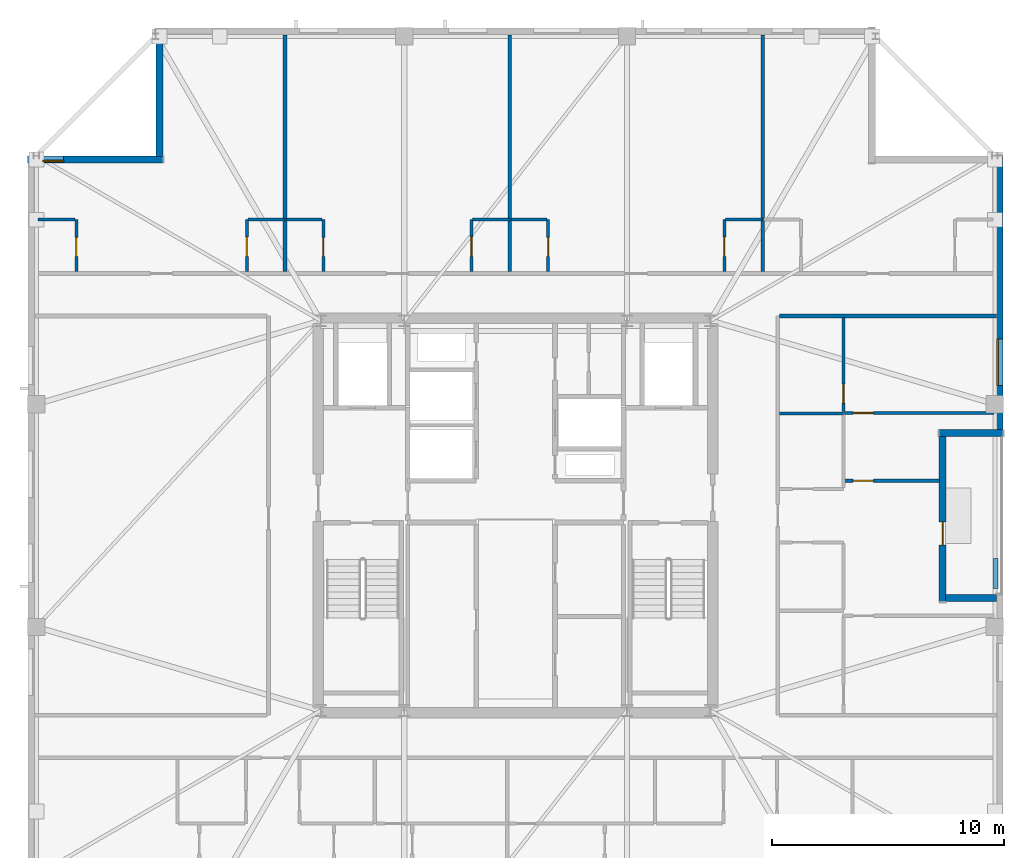
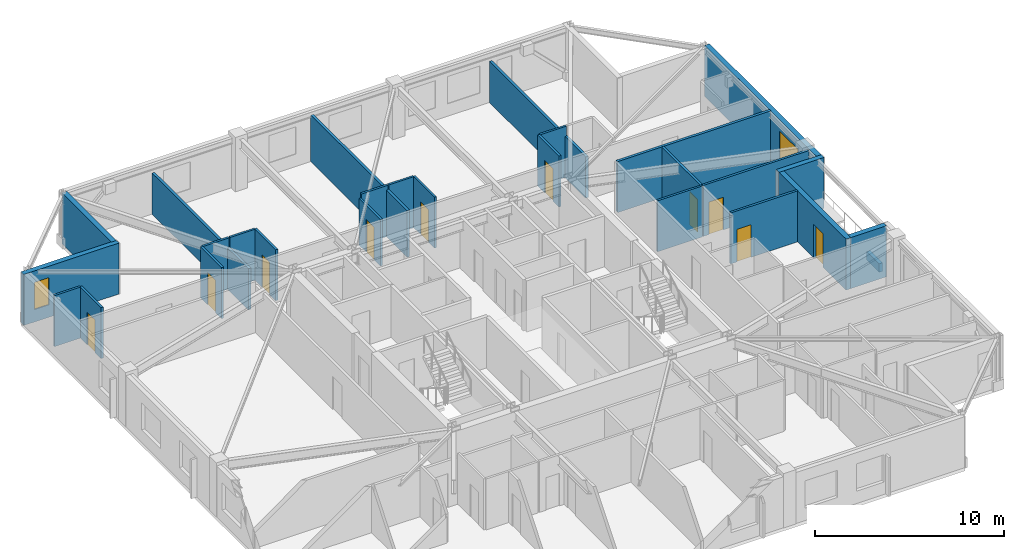
# One storey, part 10 of 15: 27 walls, 10 doors, 2 windows, 12 openings.
"""IFC4 building model written with IfcOpenShell, lengths in metres."""

from ifc_helpers import new_model, si_unit, direction, frame, frame_2d, origin, place, context, subcontext, project, spatial, rectangle, extrude, material, layer, layer_set, type_object, element, fill, save


model = new_model("IFC4")

# Units and contexts
model_context = context("Model", 3, precision=1e-05, world=origin(), true_north=direction((0.0, 1.0)))
body_context = subcontext(model_context, "Body", "Model", "MODEL_VIEW")
ifc_project = project(units=[si_unit("LENGTHUNIT", "METRE"), si_unit("AREAUNIT", "SQUARE_METRE"), si_unit("VOLUMEUNIT", "CUBIC_METRE"), si_unit("PLANEANGLEUNIT", "RADIAN"), si_unit("MASSUNIT", "GRAM", prefix="KILO")], contexts=[model_context])

# Site, building, storey
site_placement = place(None, origin())
site = spatial("IfcSite", under=ifc_project, at=site_placement, CompositionType="ELEMENT")
building_placement = place(site_placement, origin())
building = spatial("IfcBuilding", under=site, at=building_placement, Name="Cairnveth Concourse Tower", CompositionType="ELEMENT")
storey_placement = place(building_placement, frame((0.0, 0.0, 305.0)))
storey = spatial("IfcBuildingStorey", under=building, at=storey_placement, Name="L84", CompositionType="ELEMENT", Elevation=305.0)

# Walls
ifc_material_1 = material(Name="Gypsum Plasterboard Partition", Category="gypsum")
ifc_layer_1 = layer(ifc_material_1, 0.159912109375)
ifc_layer_set_1 = layer_set([ifc_layer_1], Name="Gypsum Plasterboard Partition")
wall_type_1 = type_object("IfcWallType", Name="ACOUSTIC PARTY WALL 180", PredefinedType="PARTITIONING", material=ifc_layer_set_1)
wall_1_placement = place(storey_placement, frame((63.364990234375, 47.60009765625, 0.0), z_axis=(0.0, 0.0, 1.0), x_axis=(1.0, 0.0, 0.0)))
element("IfcWall", 1, at=wall_1_placement, inside=storey, type_object=wall_type_1, Name="Interior Wall IW-L84-042", PredefinedType="PARTITIONING", context=body_context, shape_type="SweptSolid", body=[
    extrude(rectangle(XDim=9.35009765625, YDim=0.159912109375, at=frame_2d((4.675048828125, 0.0))), origin(), (0.0, 0.0, 1.0), 3.2900390625),
])
wall_2_placement = place(storey_placement, frame((42.0673828125, 49.514892578125, 0.0), z_axis=(0.0, 0.0, 1.0), x_axis=(0.0, 1.0, 0.0)))
element("IfcWall", 2, at=wall_2_placement, inside=storey, type_object=wall_type_1, Name="Interior Wall IW-L84-069", PredefinedType="PARTITIONING", context=body_context, shape_type="SweptSolid", body=[
    extrude(rectangle(XDim=10.18505859375, YDim=0.159912109375, at=frame_2d((5.092529296875, 0.0))), origin(), (0.0, 0.0, 1.0), 2.653076171875),
])
wall_3_placement = place(storey_placement, frame((51.75244140625, 49.514892578125, 0.0), z_axis=(0.0, 0.0, 1.0), x_axis=(0.0, 1.0, 0.0)))
element("IfcWall", 3, at=wall_3_placement, inside=storey, type_object=wall_type_1, Name="Interior Wall IW-L84-074", PredefinedType="PARTITIONING", context=body_context, shape_type="SweptSolid", body=[
    extrude(rectangle(XDim=10.18505859375, YDim=0.159912109375, at=frame_2d((5.092529296875, 0.0))), origin(), (0.0, 0.0, 1.0), 3.009033203125),
])
wall_4_placement = place(storey_placement, frame((62.6474609375, 49.514892578125, 0.0), z_axis=(0.0, 0.0, 1.0), x_axis=(0.0, 1.0, 0.0)))
element("IfcWall", 4, at=wall_4_placement, inside=storey, type_object=wall_type_1, Name="Interior Wall IW-L84-079", PredefinedType="PARTITIONING", context=body_context, shape_type="SweptSolid", body=[
    extrude(rectangle(XDim=10.18505859375, YDim=0.159912109375, at=frame_2d((5.092529296875, 0.0))), origin(), (0.0, 0.0, 1.0), 2.653076171875),
])

# Wall, opening, door
ifc_layer_2 = layer(ifc_material_1, 0.139892578125)
ifc_layer_set_2 = layer_set([ifc_layer_2], Name="Gypsum Plasterboard Partition")
wall_type_2 = type_object("IfcWallType", Name="GYPSUM STUD PARTITION 140", PredefinedType="PARTITIONING", material=ifc_layer_set_2)
wall_5_placement = place(storey_placement, frame((66.179931640625, 43.419921875, 0.0), z_axis=(0.0, 0.0, 1.0), x_axis=(1.0, 0.0, 0.0)))
wall_5 = element("IfcWall", 5, at=wall_5_placement, inside=storey, type_object=wall_type_2, Name="Interior Wall IW-L84-092", PredefinedType="PARTITIONING", context=body_context, shape_type="SweptSolid", body=[
    extrude(rectangle(XDim=6.440185546875, YDim=0.139892578125, at=frame_2d((3.22021484375, 0.0))), origin(), (0.0, 0.0, 1.0), 3.2900390625),
])
opening_1_placement = place(wall_5_placement, frame((0.360107421875, 0.0, 0.0)))
opening_1 = element("IfcOpeningElement", 6, at=opening_1_placement, cuts=wall_5, Name="Opening ID18", PredefinedType="OPENING", context=body_context, shape_type="SweptSolid", body=[
    extrude(rectangle(XDim=0.8798828125, YDim=2.10009765625, at=frame_2d((0.43994140625, 1.050048828125))), frame((0.0, 0.079833984375, 0.0), z_axis=(0.0, -1.0, 0.0), x_axis=(1.0, 0.0, 0.0)), (0.0, 0.0, 1.0), 0.159912109375),
])
ifc_material_2 = material(Name="Solid Core Hardwood Timber Leaf", Category="wood")
door_type_1 = type_object("IfcDoorType", Name="INTERIOR SINGLE DOOR 880X2100", OperationType="NOTDEFINED", PredefinedType="DOOR", material=ifc_material_2)
door_1_placement = place(opening_1_placement, origin())
door_1 = element("IfcDoor", 7, at=door_1_placement, inside=storey, type_object=door_type_1, Name="L84PE1 Bedroom 2 Door", OperationType="SINGLE_SWING_RIGHT", OverallHeight=2.10009765625, OverallWidth=0.8798828125, PredefinedType="DOOR", context=body_context, shape_type="SweptSolid", body=[
    extrude(rectangle(XDim=0.8798828125, YDim=2.10009765625, at=frame_2d((0.43994140625, 1.050048828125))), frame((0.0, 0.02490234375, 0.0), z_axis=(0.0, -1.0, 0.0), x_axis=(1.0, 0.0, 0.0)), (0.0, 0.0, 1.0), 0.050048828125),
])
fill(opening_1, door_1)

wall_6_placement = place(storey_placement, frame((66.1298828125, 43.47509765625, 0.0), z_axis=(0.0, 0.0, 1.0), x_axis=(0.0, 1.0, 0.0)))
wall_6 = element("IfcWall", 8, at=wall_6_placement, inside=storey, type_object=wall_type_2, Name="Interior Wall IW-L84-093", PredefinedType="PARTITIONING", context=body_context, shape_type="SweptSolid", body=[
    extrude(rectangle(XDim=4.059814453125, YDim=0.139892578125, at=frame_2d((2.02978515625, 0.0))), origin(), (0.0, 0.0, 1.0), 3.2900390625),
])
opening_2_placement = place(wall_6_placement, frame((0.375, 0.0, 0.0)))
opening_2 = element("IfcOpeningElement", 9, at=opening_2_placement, cuts=wall_6, Name="Opening ID22", PredefinedType="OPENING", context=body_context, shape_type="SweptSolid", body=[
    extrude(rectangle(XDim=0.820068359375, YDim=2.10009765625, at=frame_2d((0.41015625, 1.050048828125))), frame((0.0, 0.079833984375, 0.0), z_axis=(0.0, -1.0, 0.0), x_axis=(1.0, 0.0, 0.0)), (0.0, 0.0, 1.0), 0.159912109375),
])
door_type_2 = type_object("IfcDoorType", Name="INTERIOR WC DOOR 820X2100", OperationType="NOTDEFINED", PredefinedType="DOOR", material=ifc_material_2)
door_2_placement = place(opening_2_placement, origin())
door_2 = element("IfcDoor", 10, at=door_2_placement, inside=storey, type_object=door_type_2, Name="L84PE1 Utility Door", OperationType="SINGLE_SWING_LEFT", OverallHeight=2.10009765625, OverallWidth=0.820068359375, PredefinedType="DOOR", context=body_context, shape_type="SweptSolid", body=[
    extrude(rectangle(XDim=0.820068359375, YDim=2.10009765625, at=frame_2d((0.41015625, 1.050048828125))), frame((0.0, 0.02490234375, 0.0), z_axis=(0.0, -1.0, 0.0), x_axis=(1.0, 0.0, 0.0)), (0.0, 0.0, 1.0), 0.050048828125),
])
fill(opening_2, door_2)

wall_7_placement = place(storey_placement, frame((66.179931640625, 40.5, 0.0), z_axis=(0.0, 0.0, 1.0), x_axis=(1.0, 0.0, 0.0)))
wall_7 = element("IfcWall", 11, at=wall_7_placement, inside=storey, type_object=wall_type_2, Name="Interior Wall IW-L84-094", PredefinedType="PARTITIONING", context=body_context, shape_type="SweptSolid", body=[
    extrude(rectangle(XDim=4.0849609375, YDim=0.139892578125, at=frame_2d((2.04248046875, 0.0))), origin(), (0.0, 0.0, 1.0), 3.2900390625),
])
opening_3_placement = place(wall_7_placement, frame((0.360107421875, 0.0, 0.0)))
opening_3 = element("IfcOpeningElement", 12, at=opening_3_placement, cuts=wall_7, Name="Opening ID18", PredefinedType="OPENING", context=body_context, shape_type="SweptSolid", body=[
    extrude(rectangle(XDim=0.8798828125, YDim=2.10009765625, at=frame_2d((0.43994140625, 1.050048828125))), frame((0.0, 0.079833984375, 0.0), z_axis=(0.0, -1.0, 0.0), x_axis=(1.0, 0.0, 0.0)), (0.0, 0.0, 1.0), 0.159912109375),
])
door_3_placement = place(opening_3_placement, origin())
door_3 = element("IfcDoor", 13, at=door_3_placement, inside=storey, type_object=door_type_1, Name="L84PE1 Media Lounge Door", OperationType="SINGLE_SWING_LEFT", OverallHeight=2.10009765625, OverallWidth=0.8798828125, PredefinedType="DOOR", context=body_context, shape_type="SweptSolid", body=[
    extrude(rectangle(XDim=0.8798828125, YDim=2.10009765625, at=frame_2d((0.43994140625, 1.050048828125))), frame((0.0, 0.02490234375, 0.0), z_axis=(0.0, -1.0, 0.0), x_axis=(1.0, 0.0, 0.0)), (0.0, 0.0, 1.0), 0.050048828125),
])
fill(opening_3, door_3)

# Wall
ifc_material_3 = material(Name="Dressed Melbourne Bluestone Cladding", Category="masonry")
ifc_layer_3 = layer(ifc_material_3, 0.219970703125)
ifc_layer_set_3 = layer_set([ifc_layer_3], Name="Dressed Melbourne Bluestone Cladding")
wall_type_3 = type_object("IfcWallType", Name="TERRACE PLANTER CURB WALL 220", PredefinedType="PARAPET", material=ifc_layer_set_3)
wall_8_placement = place(storey_placement, frame((72.679931640625, 35.85009765625, 0.0), z_axis=(0.0, 0.0, 1.0), x_axis=(0.0, 1.0, 0.0)))
element("IfcWall", 14, at=wall_8_placement, inside=storey, type_object=wall_type_3, Name="Exterior Wall PLNT-L84-TERR", PredefinedType="PARAPET", context=body_context, shape_type="SweptSolid", body=[
    extrude(rectangle(XDim=1.2998046875, YDim=0.219970703125, at=frame_2d((0.64990234375, 0.0))), origin(), (0.0, 0.0, 1.0), 0.550048828125),
])

# Wall, opening, door
ifc_layer_4 = layer(ifc_material_1, 0.1298828125)
ifc_layer_set_4 = layer_set([ifc_layer_4], Name="Gypsum Plasterboard Partition")
wall_type_4 = type_object("IfcWallType", Name="WET AREA PARTITION 140", PredefinedType="PLUMBINGWALL", material=ifc_layer_set_4)
wall_9_placement = place(storey_placement, frame((33.070068359375, 49.514892578125, 0.0), z_axis=(0.0, 0.0, 1.0), x_axis=(0.0, 1.0, 0.0)))
wall_9 = element("IfcWall", 15, at=wall_9_placement, inside=storey, type_object=wall_type_4, Name="Interior Wall IW-L84-065", PredefinedType="PLUMBINGWALL", context=body_context, shape_type="SweptSolid", body=[
    extrude(rectangle(XDim=2.25, YDim=0.1298828125, at=frame_2d((1.125, 0.0))), origin(), (0.0, 0.0, 1.0), 3.2900390625),
])
opening_4_placement = place(wall_9_placement, frame((0.64990234375, 0.0, 0.0)))
opening_4 = element("IfcOpeningElement", 16, at=opening_4_placement, cuts=wall_9, Name="Opening ID22", PredefinedType="OPENING", context=body_context, shape_type="SweptSolid", body=[
    extrude(rectangle(XDim=0.820068359375, YDim=2.10009765625, at=frame_2d((0.41015625, 1.050048828125))), frame((0.0, 0.074951171875, 0.0), z_axis=(0.0, -1.0, 0.0), x_axis=(1.0, 0.0, 0.0)), (0.0, 0.0, 1.0), 0.14990234375),
])
door_4_placement = place(opening_4_placement, origin())
door_4 = element("IfcDoor", 17, at=door_4_placement, inside=storey, type_object=door_type_2, Name="L84STN1 Bathroom Door", OperationType="SINGLE_SWING_RIGHT", OverallHeight=2.10009765625, OverallWidth=0.820068359375, PredefinedType="DOOR", context=body_context, shape_type="SweptSolid", body=[
    extrude(rectangle(XDim=0.820068359375, YDim=2.10009765625, at=frame_2d((0.41015625, 1.050048828125))), frame((0.0, 0.02490234375, 0.0), z_axis=(0.0, -1.0, 0.0), x_axis=(1.0, 0.0, 0.0)), (0.0, 0.0, 1.0), 0.050048828125),
])
fill(opening_4, door_4)

# Wall
wall_10_placement = place(storey_placement, frame((31.419921875, 51.764892578125, 0.0), z_axis=(0.0, 0.0, 1.0), x_axis=(1.0, 0.0, 0.0)))
element("IfcWall", 18, at=wall_10_placement, inside=storey, type_object=wall_type_4, Name="Interior Wall IW-L84-066", PredefinedType="PLUMBINGWALL", context=body_context, shape_type="SweptSolid", body=[
    extrude(rectangle(XDim=1.60009765625, YDim=0.1298828125, at=frame_2d((0.800048828125, 0.0))), origin(), (0.0, 0.0, 1.0), 3.2900390625),
])

# Wall, opening, door
wall_11_placement = place(storey_placement, frame((40.41748046875, 49.514892578125, 0.0), z_axis=(0.0, 0.0, 1.0), x_axis=(0.0, 1.0, 0.0)))
wall_11 = element("IfcWall", 19, at=wall_11_placement, inside=storey, type_object=wall_type_4, Name="Interior Wall IW-L84-067", PredefinedType="PLUMBINGWALL", context=body_context, shape_type="SweptSolid", body=[
    extrude(rectangle(XDim=2.25, YDim=0.1298828125, at=frame_2d((1.125, 0.0))), origin(), (0.0, 0.0, 1.0), 3.2900390625),
])
opening_5_placement = place(wall_11_placement, frame((0.64990234375, 0.0, 0.0)))
opening_5 = element("IfcOpeningElement", 20, at=opening_5_placement, cuts=wall_11, Name="Opening ID20", PredefinedType="OPENING", context=body_context, shape_type="SweptSolid", body=[
    extrude(rectangle(XDim=0.85009765625, YDim=2.10009765625, at=frame_2d((0.425048828125, 1.050048828125))), frame((0.0, 0.074951171875, 0.0), z_axis=(0.0, -1.0, 0.0), x_axis=(1.0, 0.0, 0.0)), (0.0, 0.0, 1.0), 0.14990234375),
])
door_type_3 = type_object("IfcDoorType", Name="INTERIOR SINGLE DOOR 850X2100", OperationType="NOTDEFINED", PredefinedType="DOOR", material=ifc_material_2)
door_5_placement = place(opening_5_placement, origin())
door_5 = element("IfcDoor", 21, at=door_5_placement, inside=storey, type_object=door_type_3, Name="L84STN1 Kitchen Door", OperationType="SINGLE_SWING_LEFT", OverallHeight=2.10009765625, OverallWidth=0.85009765625, PredefinedType="DOOR", context=body_context, shape_type="SweptSolid", body=[
    extrude(rectangle(XDim=0.85009765625, YDim=2.10009765625, at=frame_2d((0.425048828125, 1.050048828125))), frame((0.0, 0.02490234375, 0.0), z_axis=(0.0, -1.0, 0.0), x_axis=(1.0, 0.0, 0.0)), (0.0, 0.0, 1.0), 0.050048828125),
])
fill(opening_5, door_5)

# Wall
wall_12_placement = place(storey_placement, frame((40.467529296875, 51.764892578125, 0.0), z_axis=(0.0, 0.0, 1.0), x_axis=(1.0, 0.0, 0.0)))
element("IfcWall", 22, at=wall_12_placement, inside=storey, type_object=wall_type_4, Name="Interior Wall IW-L84-068", PredefinedType="PLUMBINGWALL", context=body_context, shape_type="SweptSolid", body=[
    extrude(rectangle(XDim=1.599853515625, YDim=0.1298828125, at=frame_2d((0.7998046875, 0.0))), origin(), (0.0, 0.0, 1.0), 3.2900390625),
])

# Wall, opening, door
wall_13_placement = place(storey_placement, frame((43.717529296875, 49.514892578125, 0.0), z_axis=(0.0, 0.0, 1.0), x_axis=(0.0, 1.0, 0.0)))
wall_13 = element("IfcWall", 23, at=wall_13_placement, inside=storey, type_object=wall_type_4, Name="Interior Wall IW-L84-070", PredefinedType="PLUMBINGWALL", context=body_context, shape_type="SweptSolid", body=[
    extrude(rectangle(XDim=2.25, YDim=0.1298828125, at=frame_2d((1.125, 0.0))), origin(), (0.0, 0.0, 1.0), 3.2900390625),
])
opening_6_placement = place(wall_13_placement, frame((0.64990234375, 0.0, 0.0)))
opening_6 = element("IfcOpeningElement", 24, at=opening_6_placement, cuts=wall_13, Name="Opening ID22", PredefinedType="OPENING", context=body_context, shape_type="SweptSolid", body=[
    extrude(rectangle(XDim=0.820068359375, YDim=2.10009765625, at=frame_2d((0.41015625, 1.050048828125))), frame((0.0, 0.074951171875, 0.0), z_axis=(0.0, -1.0, 0.0), x_axis=(1.0, 0.0, 0.0)), (0.0, 0.0, 1.0), 0.14990234375),
])
door_6_placement = place(opening_6_placement, origin())
door_6 = element("IfcDoor", 25, at=door_6_placement, inside=storey, type_object=door_type_2, Name="L84STN2 Bathroom Door", OperationType="SINGLE_SWING_LEFT", OverallHeight=2.10009765625, OverallWidth=0.820068359375, PredefinedType="DOOR", context=body_context, shape_type="SweptSolid", body=[
    extrude(rectangle(XDim=0.820068359375, YDim=2.10009765625, at=frame_2d((0.41015625, 1.050048828125))), frame((0.0, 0.02490234375, 0.0), z_axis=(0.0, -1.0, 0.0), x_axis=(1.0, 0.0, 0.0)), (0.0, 0.0, 1.0), 0.050048828125),
])
fill(opening_6, door_6)

# Wall
wall_14_placement = place(storey_placement, frame((42.132568359375, 51.764892578125, 0.0), z_axis=(0.0, 0.0, 1.0), x_axis=(1.0, 0.0, 0.0)))
element("IfcWall", 26, at=wall_14_placement, inside=storey, type_object=wall_type_4, Name="Interior Wall IW-L84-071", PredefinedType="PLUMBINGWALL", context=body_context, shape_type="SweptSolid", body=[
    extrude(rectangle(XDim=1.534912109375, YDim=0.1298828125, at=frame_2d((0.767578125, 0.0))), origin(), (0.0, 0.0, 1.0), 3.2900390625),
])

# Wall, opening, door
wall_15_placement = place(storey_placement, frame((50.1025390625, 49.514892578125, 0.0), z_axis=(0.0, 0.0, 1.0), x_axis=(0.0, 1.0, 0.0)))
wall_15 = element("IfcWall", 27, at=wall_15_placement, inside=storey, type_object=wall_type_4, Name="Interior Wall IW-L84-072", PredefinedType="PLUMBINGWALL", context=body_context, shape_type="SweptSolid", body=[
    extrude(rectangle(XDim=2.25, YDim=0.1298828125, at=frame_2d((1.125, 0.0))), origin(), (0.0, 0.0, 1.0), 3.009033203125),
])
opening_7_placement = place(wall_15_placement, frame((0.64990234375, 0.0, 0.0)))
opening_7 = element("IfcOpeningElement", 28, at=opening_7_placement, cuts=wall_15, Name="Opening ID20", PredefinedType="OPENING", context=body_context, shape_type="SweptSolid", body=[
    extrude(rectangle(XDim=0.85009765625, YDim=2.10009765625, at=frame_2d((0.425048828125, 1.050048828125))), frame((0.0, 0.074951171875, 0.0), z_axis=(0.0, -1.0, 0.0), x_axis=(1.0, 0.0, 0.0)), (0.0, 0.0, 1.0), 0.14990234375),
])
door_7_placement = place(opening_7_placement, origin())
door_7 = element("IfcDoor", 29, at=door_7_placement, inside=storey, type_object=door_type_3, Name="L84STN2 Kitchen Door", OperationType="SINGLE_SWING_RIGHT", OverallHeight=2.10009765625, OverallWidth=0.85009765625, PredefinedType="DOOR", context=body_context, shape_type="SweptSolid", body=[
    extrude(rectangle(XDim=0.85009765625, YDim=2.10009765625, at=frame_2d((0.425048828125, 1.050048828125))), frame((0.0, 0.02490234375, 0.0), z_axis=(0.0, -1.0, 0.0), x_axis=(1.0, 0.0, 0.0)), (0.0, 0.0, 1.0), 0.050048828125),
])
fill(opening_7, door_7)

# Wall
wall_16_placement = place(storey_placement, frame((50.152587890625, 51.764892578125, 0.0), z_axis=(0.0, 0.0, 1.0), x_axis=(1.0, 0.0, 0.0)))
element("IfcWall", 30, at=wall_16_placement, inside=storey, type_object=wall_type_4, Name="Interior Wall IW-L84-073", PredefinedType="PLUMBINGWALL", context=body_context, shape_type="SweptSolid", body=[
    extrude(rectangle(XDim=1.599853515625, YDim=0.1298828125, at=frame_2d((0.7998046875, 0.0))), origin(), (0.0, 0.0, 1.0), 3.2900390625),
])

# Wall, opening, door
wall_17_placement = place(storey_placement, frame((53.402587890625, 49.514892578125, 0.0), z_axis=(0.0, 0.0, 1.0), x_axis=(0.0, 1.0, 0.0)))
wall_17 = element("IfcWall", 31, at=wall_17_placement, inside=storey, type_object=wall_type_4, Name="Interior Wall IW-L84-075", PredefinedType="PLUMBINGWALL", context=body_context, shape_type="SweptSolid", body=[
    extrude(rectangle(XDim=2.25, YDim=0.1298828125, at=frame_2d((1.125, 0.0))), origin(), (0.0, 0.0, 1.0), 3.2900390625),
])
opening_8_placement = place(wall_17_placement, frame((0.64990234375, 0.0, 0.0)))
opening_8 = element("IfcOpeningElement", 32, at=opening_8_placement, cuts=wall_17, Name="Opening ID22", PredefinedType="OPENING", context=body_context, shape_type="SweptSolid", body=[
    extrude(rectangle(XDim=0.820068359375, YDim=2.10009765625, at=frame_2d((0.41015625, 1.050048828125))), frame((0.0, 0.074951171875, 0.0), z_axis=(0.0, -1.0, 0.0), x_axis=(1.0, 0.0, 0.0)), (0.0, 0.0, 1.0), 0.14990234375),
])
door_8_placement = place(opening_8_placement, origin())
door_8 = element("IfcDoor", 33, at=door_8_placement, inside=storey, type_object=door_type_2, Name="L84STN3 Bathroom Door", OperationType="SINGLE_SWING_RIGHT", OverallHeight=2.10009765625, OverallWidth=0.820068359375, PredefinedType="DOOR", context=body_context, shape_type="SweptSolid", body=[
    extrude(rectangle(XDim=0.820068359375, YDim=2.10009765625, at=frame_2d((0.41015625, 1.050048828125))), frame((0.0, 0.02490234375, 0.0), z_axis=(0.0, -1.0, 0.0), x_axis=(1.0, 0.0, 0.0)), (0.0, 0.0, 1.0), 0.050048828125),
])
fill(opening_8, door_8)

# Wall
wall_18_placement = place(storey_placement, frame((51.8173828125, 51.764892578125, 0.0), z_axis=(0.0, 0.0, 1.0), x_axis=(1.0, 0.0, 0.0)))
element("IfcWall", 34, at=wall_18_placement, inside=storey, type_object=wall_type_4, Name="Interior Wall IW-L84-076", PredefinedType="PLUMBINGWALL", context=body_context, shape_type="SweptSolid", body=[
    extrude(rectangle(XDim=1.53515625, YDim=0.1298828125, at=frame_2d((0.767578125, 0.0))), origin(), (0.0, 0.0, 1.0), 3.2900390625),
])

# Wall, opening, door
wall_19_placement = place(storey_placement, frame((60.99755859375, 49.514892578125, 0.0), z_axis=(0.0, 0.0, 1.0), x_axis=(0.0, 1.0, 0.0)))
wall_19 = element("IfcWall", 35, at=wall_19_placement, inside=storey, type_object=wall_type_4, Name="Interior Wall IW-L84-077", PredefinedType="PLUMBINGWALL", context=body_context, shape_type="SweptSolid", body=[
    extrude(rectangle(XDim=2.25, YDim=0.1298828125, at=frame_2d((1.125, 0.0))), origin(), (0.0, 0.0, 1.0), 3.2900390625),
])
opening_9_placement = place(wall_19_placement, frame((0.64990234375, 0.0, 0.0)))
opening_9 = element("IfcOpeningElement", 36, at=opening_9_placement, cuts=wall_19, Name="Opening ID20", PredefinedType="OPENING", context=body_context, shape_type="SweptSolid", body=[
    extrude(rectangle(XDim=0.85009765625, YDim=2.10009765625, at=frame_2d((0.425048828125, 1.050048828125))), frame((0.0, 0.074951171875, 0.0), z_axis=(0.0, -1.0, 0.0), x_axis=(1.0, 0.0, 0.0)), (0.0, 0.0, 1.0), 0.14990234375),
])
door_9_placement = place(opening_9_placement, origin())
door_9 = element("IfcDoor", 37, at=door_9_placement, inside=storey, type_object=door_type_3, Name="L84STN3 Kitchen Door", OperationType="SINGLE_SWING_LEFT", OverallHeight=2.10009765625, OverallWidth=0.85009765625, PredefinedType="DOOR", context=body_context, shape_type="SweptSolid", body=[
    extrude(rectangle(XDim=0.85009765625, YDim=2.10009765625, at=frame_2d((0.425048828125, 1.050048828125))), frame((0.0, 0.02490234375, 0.0), z_axis=(0.0, -1.0, 0.0), x_axis=(1.0, 0.0, 0.0)), (0.0, 0.0, 1.0), 0.050048828125),
])
fill(opening_9, door_9)

# Walls
wall_20_placement = place(storey_placement, frame((61.047607421875, 51.764892578125, 0.0), z_axis=(0.0, 0.0, 1.0), x_axis=(1.0, 0.0, 0.0)))
element("IfcWall", 38, at=wall_20_placement, inside=storey, type_object=wall_type_4, Name="Interior Wall IW-L84-078", PredefinedType="PLUMBINGWALL", context=body_context, shape_type="SweptSolid", body=[
    extrude(rectangle(XDim=1.599853515625, YDim=0.1298828125, at=frame_2d((0.7998046875, 0.0))), origin(), (0.0, 0.0, 1.0), 3.2900390625),
])
wall_21_placement = place(storey_placement, frame((63.3798828125, 43.39990234375, 0.0), z_axis=(0.0, 0.0, 1.0), x_axis=(1.0, 0.0, 0.0)))
element("IfcWall", 39, at=wall_21_placement, inside=storey, type_object=wall_type_4, Name="Interior Wall IW-L84-087", PredefinedType="PLUMBINGWALL", context=body_context, shape_type="SweptSolid", body=[
    extrude(rectangle(XDim=2.75, YDim=0.1298828125, at=frame_2d((1.375, 0.0))), origin(), (0.0, 0.0, 1.0), 3.2900390625),
])

# Wall, opening, window
ifc_material_4 = material(Name="Hawthorn Red-Ochre Fired Clay Brick Masonry", Category="masonry")
ifc_layer_5 = layer(ifc_material_4, 0.300048828125)
ifc_layer_set_5 = layer_set([ifc_layer_5], Name="Hawthorn Red-Ochre Fired Clay Brick Masonry")
wall_type_5 = type_object("IfcWallType", Name="ZONE 4 BRICK PIER SPANDREL WALL 300", PredefinedType="SOLIDWALL", material=ifc_layer_set_5)
wall_22_placement = place(storey_placement, frame((31.0, 54.35009765625, 0.0), z_axis=(0.0, 0.0, 1.0), x_axis=(1.0, 0.0, 0.0)))
wall_22 = element("IfcWall", 40, at=wall_22_placement, inside=storey, type_object=wall_type_5, Name="Exterior Wall EW-L84-S07", PredefinedType="SOLIDWALL", context=body_context, shape_type="SweptSolid", body=[
    extrude(rectangle(XDim=5.800048828125, YDim=0.300048828125, at=frame_2d((2.89990234375, 0.0))), origin(), (0.0, 0.0, 1.0), 3.2900390625),
])
opening_10_placement = place(wall_22_placement, frame((0.6298828125, 0.0, 0.800048828125)))
opening_10 = element("IfcOpeningElement", 41, at=opening_10_placement, cuts=wall_22, Name="Opening W13", PredefinedType="OPENING", context=body_context, shape_type="SweptSolid", body=[
    extrude(rectangle(XDim=0.89990234375, YDim=1.75, at=frame_2d((0.449951171875, 0.875))), frame((0.0, 0.159912109375, 0.0), z_axis=(0.0, -1.0, 0.0), x_axis=(1.0, 0.0, 0.0)), (0.0, 0.0, 1.0), 0.320068359375),
])
ifc_material_5 = material(Name="Double Glazed Low-E Clear Glass", Category="glass")
window_type_1 = type_object("IfcWindowType", Name="DEEP-SET BEDROOM LANCET WINDOW 900X1750", PartitioningType="DOUBLE_PANEL_VERTICAL", PredefinedType="WINDOW", material=ifc_material_5)
window_1_placement = place(opening_10_placement, origin())
window_1 = element("IfcWindow", 42, at=window_1_placement, inside=storey, type_object=window_type_1, Name="Dwelling Lancet Window L84-DW3", OverallHeight=1.75, OverallWidth=0.89990234375, PartitioningType="SINGLE_PANEL", PredefinedType="WINDOW", context=body_context, shape_type="SweptSolid", body=[
    extrude(rectangle(XDim=0.89990234375, YDim=1.75, at=frame_2d((0.449951171875, 0.875))), frame((0.0, -0.0400390625, 0.0), z_axis=(0.0, -1.0, 0.0), x_axis=(1.0, 0.0, 0.0)), (0.0, 0.0, 1.0), 0.06005859375),
])
fill(opening_10, window_1)

# Wall
wall_23_placement = place(storey_placement, frame((36.64990234375, 54.47802734375, 0.0), z_axis=(0.0, 0.0, 1.0), x_axis=(0.0, 1.0, 0.0)))
element("IfcWall", 43, at=wall_23_placement, inside=storey, type_object=wall_type_5, Name="Exterior Wall EW-L84-S08", PredefinedType="SOLIDWALL", context=body_context, shape_type="SweptSolid", body=[
    extrude(rectangle(XDim=5.243896484375, YDim=0.300048828125, at=frame_2d((2.6220703125, 0.0))), origin(), (0.0, 0.0, 1.0), 3.2900390625),
])

# Wall, opening, window
wall_24_placement = place(storey_placement, frame((72.85009765625, 54.5, 0.0), z_axis=(0.0, 0.0, 1.0), x_axis=(0.0, -1.0, 0.0)))
wall_24 = element("IfcWall", 44, at=wall_24_placement, inside=storey, type_object=wall_type_5, Name="Exterior Wall EW-L84-S12", PredefinedType="SOLIDWALL", context=body_context, shape_type="SweptSolid", body=[
    extrude(rectangle(XDim=11.822021484375, YDim=0.300048828125, at=frame_2d((5.9111328125, 0.0))), origin(), (0.0, 0.0, 1.0), 3.2900390625),
])
opening_11_placement = place(wall_24_placement, frame((7.8916015625, 0.0, 0.800048828125)))
opening_11 = element("IfcOpeningElement", 45, at=opening_11_placement, cuts=wall_24, Name="Opening W09", PredefinedType="OPENING", context=body_context, shape_type="SweptSolid", body=[
    extrude(rectangle(XDim=2.0, YDim=1.758056640625, at=frame_2d((1.0, 0.87890625))), frame((0.0, 0.159912109375, 0.0), z_axis=(0.0, -1.0, 0.0), x_axis=(1.0, 0.0, 0.0)), (0.0, 0.0, 1.0), 0.320068359375),
])
window_type_2 = type_object("IfcWindowType", Name="DEEP-SET PENTHOUSE LANCET WINDOW 2000X1850", PartitioningType="DOUBLE_PANEL_VERTICAL", PredefinedType="WINDOW", material=ifc_material_5)
window_2_placement = place(opening_11_placement, origin())
window_2 = element("IfcWindow", 46, at=window_2_placement, inside=storey, type_object=window_type_2, Name="Gothic Lancet Window L84-12-2", OverallHeight=1.758056640625, OverallWidth=2.0, PartitioningType="SINGLE_PANEL", PredefinedType="WINDOW", context=body_context, shape_type="SweptSolid", body=[
    extrude(rectangle(XDim=2.0, YDim=1.758056640625, at=frame_2d((1.0, 0.87890625))), frame((0.0, -0.050048828125, 0.0), z_axis=(0.0, -1.0, 0.0), x_axis=(1.0, 0.0, 0.0)), (0.0, 0.0, 1.0), 0.06005859375),
])
fill(opening_11, window_2)

# Wall
wall_25_placement = place(storey_placement, frame((73.0, 42.550048828125, 0.0), z_axis=(0.0, 0.0, 1.0), x_axis=(-1.0, 0.0, 0.0)))
element("IfcWall", 47, at=wall_25_placement, inside=storey, type_object=wall_type_5, Name="Exterior Wall EW-L84-S13", PredefinedType="SOLIDWALL", context=body_context, shape_type="SweptSolid", body=[
    extrude(rectangle(XDim=2.75, YDim=0.300048828125, at=frame_2d((1.375, 0.0))), origin(), (0.0, 0.0, 1.0), 3.2900390625),
])

# Wall, opening, door
wall_26_placement = place(storey_placement, frame((70.39990234375, 42.422119140625, 0.0), z_axis=(0.0, 0.0, 1.0), x_axis=(0.0, -1.0, 0.0)))
wall_26 = element("IfcWall", 48, at=wall_26_placement, inside=storey, type_object=wall_type_5, Name="Exterior Wall EW-L84-S14", PredefinedType="SOLIDWALL", context=body_context, shape_type="SweptSolid", body=[
    extrude(rectangle(XDim=7.1220703125, YDim=0.300048828125, at=frame_2d((3.56103515625, 0.0))), origin(), (0.0, 0.0, 1.0), 3.2900390625),
])
opening_12_placement = place(wall_26_placement, frame((3.697021484375, 0.0, 0.0)))
opening_12 = element("IfcOpeningElement", 49, at=opening_12_placement, cuts=wall_26, Name="Opening ED4", PredefinedType="OPENING", context=body_context, shape_type="SweptSolid", body=[
    extrude(rectangle(XDim=1.0, YDim=2.14990234375, at=frame_2d((0.5, 1.074951171875))), frame((0.0, 0.159912109375, 0.0), z_axis=(0.0, -1.0, 0.0), x_axis=(1.0, 0.0, 0.0)), (0.0, 0.0, 1.0), 0.320068359375),
])
ifc_material_6 = material(Name="Architectural Bronze Anodised Aluminium 6063-T6", Category="aluminium")
door_type_4 = type_object("IfcDoorType", Name="TERRACE GLAZED DOOR 1000X2150", OperationType="NOTDEFINED", PredefinedType="DOOR", material=ifc_material_6)
door_10_placement = place(opening_12_placement, origin())
door_10 = element("IfcDoor", 50, at=door_10_placement, inside=storey, type_object=door_type_4, Name="Spiral Terrace Door L84", OperationType="SINGLE_SWING_LEFT", OverallHeight=2.14990234375, OverallWidth=1.0, PredefinedType="DOOR", context=body_context, shape_type="SweptSolid", body=[
    extrude(rectangle(XDim=1.0, YDim=2.14990234375, at=frame_2d((0.5, 1.074951171875))), frame((0.0, 0.02490234375, 0.0), z_axis=(0.0, -1.0, 0.0), x_axis=(1.0, 0.0, 0.0)), (0.0, 0.0, 1.0), 0.050048828125),
])
fill(opening_12, door_10)

# Wall
wall_27_placement = place(storey_placement, frame((70.528076171875, 35.449951171875, 0.0), z_axis=(0.0, 0.0, 1.0), x_axis=(1.0, 0.0, 0.0)))
element("IfcWall", 51, at=wall_27_placement, inside=storey, type_object=wall_type_5, Name="Exterior Wall EW-L84-S15", PredefinedType="SOLIDWALL", context=body_context, shape_type="SweptSolid", body=[
    extrude(rectangle(XDim=2.19384765625, YDim=0.300048828125, at=frame_2d((1.096923828125, 0.0))), origin(), (0.0, 0.0, 1.0), 3.2900390625),
])

save(model, "model.ifc")
